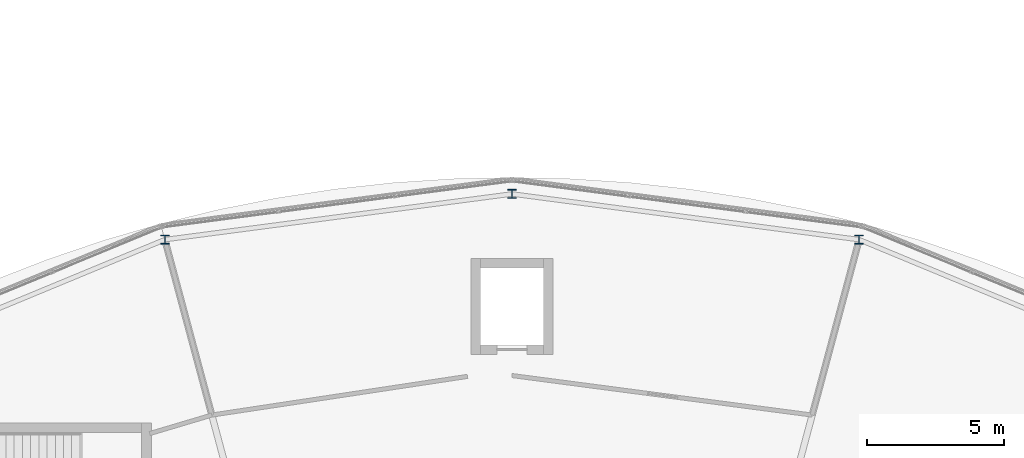
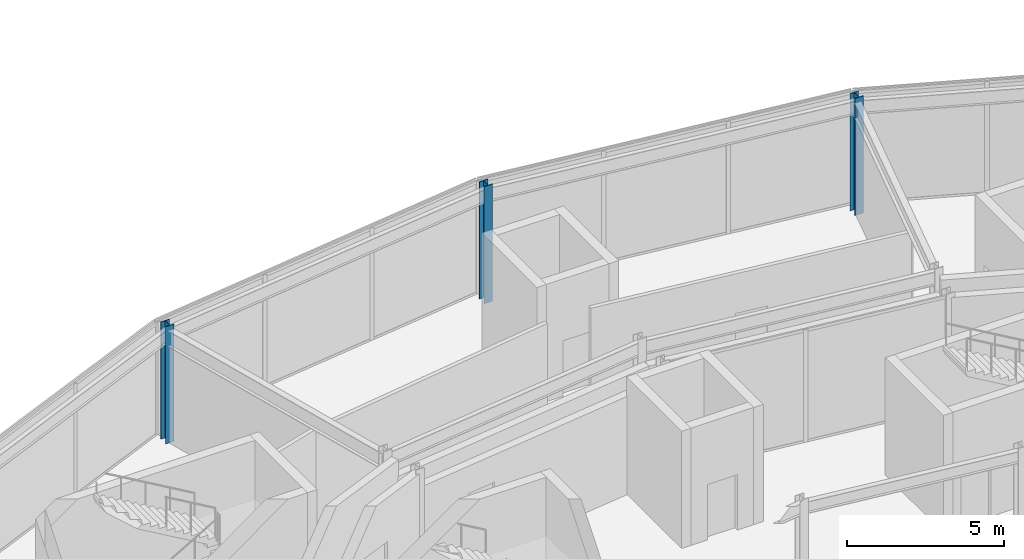
# One storey, part 14 of 133: 3 columns.
"""IFC4 building model written with IfcOpenShell, lengths in metres."""

import ifcopenshell
import ifcopenshell.guid

model = None  # the IFC model being written
_history = None  # IfcOwnerHistory: only IFC2X3 demands one
_inside = {}  # id of a spatial element -> (the spatial element, [elements in it])
_under = {}  # id of a project, library or spatial element -> (it, [spatial elements below it])
_declared = {}  # id of a project -> (the project, [libraries it declares])
_typed = {}  # id of a type object -> (the type object, [elements of that type])
_made_of = {}  # id of a material, layer set ... -> (it, [elements and type objects made of it])


def new_model(schema):
    """Start an empty IFC model of exactly this schema.

    Asked for "IFC4X3", IfcOpenShell would pick the latest addendum, in which some entities
    have other attributes; the version numbers below select the first issue.
    IFC2X3 requires an IfcOwnerHistory on every rooted entity: one is made here for all.
    """
    global model, _history
    if schema == "IFC4X3":
        model = ifcopenshell.file(schema_version=(4, 3, 0, 0))
    else:
        model = ifcopenshell.file(schema=schema)
    _inside.clear()
    _under.clear()
    _declared.clear()
    _typed.clear()
    _made_of.clear()
    _history = None
    if model.schema == "IFC2X3":
        org = make("IfcOrganization", Name="unknown")
        user = make(
            "IfcPersonAndOrganization",
            ThePerson=make("IfcPerson", FamilyName="unknown"),
            TheOrganization=org,
        )
        app = make(
            "IfcApplication",
            ApplicationDeveloper=org,
            Version="unknown",
            ApplicationFullName="unknown",
            ApplicationIdentifier="unknown",
        )
        _history = make(
            "IfcOwnerHistory",
            OwningUser=user,
            OwningApplication=app,
            ChangeAction="ADDED",
            CreationDate=0,
        )
    return model


def make(cls, **values):
    """One entity of the class cls with the attributes given. An attribute that is None is left unset."""
    return model.create_entity(
        cls, **{name: value for name, value in values.items() if value is not None}
    )


def rooted(cls, **values):
    """An entity with a GlobalId (a new one), such as an element, a storey or a relation."""
    return make(cls, GlobalId=ifcopenshell.guid.new(), OwnerHistory=_history, **values)


def si_unit(unit_type, name, prefix=None):
    """IfcSIUnit, for example si_unit("LENGTHUNIT", "METRE", prefix="MILLI")."""
    return make("IfcSIUnit", UnitType=unit_type, Prefix=prefix, Name=name)


def assignment(units):
    """IfcUnitAssignment: the units of a project."""
    return None if units is None else make("IfcUnitAssignment", Units=units)


def point(xyz):
    """IfcCartesianPoint."""
    return None if xyz is None else make("IfcCartesianPoint", Coordinates=xyz)


def direction(xyz):
    """IfcDirection."""
    return None if xyz is None else make("IfcDirection", DirectionRatios=xyz)


def frame(location, z_axis=None, x_axis=None):
    """IfcAxis2Placement3D, a coordinate frame: its origin and axes. An axis left out is left unset."""
    return make(
        "IfcAxis2Placement3D",
        Location=point(location),
        Axis=direction(z_axis),
        RefDirection=direction(x_axis),
    )


def frame_2d(location, x_axis=None):
    """IfcAxis2Placement2D, a coordinate frame in the plane: its origin and x axis."""
    return make(
        "IfcAxis2Placement2D", Location=point(location), RefDirection=direction(x_axis)
    )


def origin():
    """The frame at (0, 0, 0) with its axes left unset."""
    return frame((0.0, 0.0, 0.0))


def origin_2d():
    """The frame at (0, 0) in the plane with its x axis left unset."""
    return frame_2d((0.0, 0.0))


def place(relative_to, where):
    """IfcLocalPlacement: puts the frame where relative to a parent placement (None: the world)."""
    return make(
        "IfcLocalPlacement", PlacementRelTo=relative_to, RelativePlacement=where
    )


def context(
    kind, dimensions, precision=None, world=None, true_north=None, identifier=None
):
    """IfcGeometricRepresentationContext, for example the 3D "Model" context."""
    return make(
        "IfcGeometricRepresentationContext",
        ContextIdentifier=identifier,
        ContextType=kind,
        CoordinateSpaceDimension=dimensions,
        Precision=precision,
        WorldCoordinateSystem=world,
        TrueNorth=true_north,
    )


def subcontext(parent, identifier, kind, view, scale=None):
    """IfcGeometricRepresentationSubContext, for example "Body" below "Model"."""
    return make(
        "IfcGeometricRepresentationSubContext",
        ContextIdentifier=identifier,
        ContextType=kind,
        ParentContext=parent,
        TargetScale=scale,
        TargetView=view,
    )


def project(units=None, contexts=None):
    """IfcProject with its units and contexts."""
    return rooted(
        "IfcProject",
        Name="project",
        RepresentationContexts=contexts,
        UnitsInContext=assignment(units),
    )


def spatial(cls, under=None, at=None, **own):
    """A site, building, storey or space (cls), placed at a placement, below another one or the project."""
    s = rooted(cls, ObjectPlacement=at, **own)
    if under is not None:
        _under.setdefault(under.id(), (under, []))[1].append(s)
    return s


def profile(cls, at=None, kind="AREA", **sizes):
    """A parametric profile (cls). Its sizes go by their IFC names, for example OverallWidth=200.0."""
    return make(cls, ProfileType=kind, Position=at, **sizes)


def i_section(**sizes):
    """IfcIShapeProfileDef."""
    return profile("IfcIShapeProfileDef", **sizes)


def extrude(swept, where, along, depth):
    """IfcExtrudedAreaSolid: the profile swept, set in the frame where, extruded along a direction by depth."""
    return make(
        "IfcExtrudedAreaSolid",
        SweptArea=swept,
        Position=where,
        ExtrudedDirection=direction(along),
        Depth=depth,
    )


def shape(context_of_items, identifier, shape_type, items):
    """IfcShapeRepresentation: the items that make up one representation, for example the "Body"."""
    return make(
        "IfcShapeRepresentation",
        ContextOfItems=context_of_items,
        RepresentationIdentifier=identifier,
        RepresentationType=shape_type,
        Items=items,
    )


def material(Name=None, Category=None):
    """IfcMaterial."""
    return make("IfcMaterial", Name=Name, Category=Category)


def material_profile(
    of_material, cross_section, Name=None, Category=None, Priority=None
):
    """IfcMaterialProfile: a cross section and its material."""
    return make(
        "IfcMaterialProfile",
        Name=Name,
        Material=of_material,
        Profile=cross_section,
        Priority=Priority,
        Category=Category,
    )


def profile_set(profiles, Name=None, composite=None):
    """IfcMaterialProfileSet."""
    return make(
        "IfcMaterialProfileSet",
        Name=Name,
        MaterialProfiles=profiles,
        CompositeProfile=composite,
    )


def made_of(thing, what):
    """Note that an element or type object is made of a material, layer set ...; save() writes the relation."""
    if what is not None:
        _made_of.setdefault(what.id(), (what, []))[1].append(thing)
    return thing


def type_object(cls, material=None, **own):
    """A type object (cls), such as IfcWallType, which elements share."""
    return made_of(rooted(cls, **own), material)


def element(
    cls,
    number,
    at=None,
    inside=None,
    cuts=None,
    type_object=None,
    material=None,
    context=None,
    identifier="Body",
    shape_type=None,
    held_by="IfcProductDefinitionShape",
    body=None,
    shapes=None,
    **own,
):
    """One element of the class cls, such as IfcWall. Its Tag is "e" and its number.

    at: its placement. inside: the storey or other place that contains it. cuts: it is an
    opening in that element (IfcRelVoidsElement). A single representation is given by context,
    identifier, shape_type and body (its items); several are given by shapes. held_by: the class
    of the entity that holds the representations. save() writes the other relations.
    """
    e = rooted(cls, Tag="e%d" % number, ObjectPlacement=at, **own)
    if body is not None:
        shapes = [shape(context, identifier, shape_type, body)]
    if shapes is not None:
        e.Representation = make(held_by, Representations=shapes)
    if inside is not None:
        _inside.setdefault(inside.id(), (inside, []))[1].append(e)
    if cuts is not None:
        rooted(
            "IfcRelVoidsElement", RelatingBuildingElement=cuts, RelatedOpeningElement=e
        )
    if type_object is not None:
        _typed.setdefault(type_object.id(), (type_object, []))[1].append(e)
    return made_of(e, material)


def aggregate(whole, parts):
    """IfcRelAggregates: a whole, such as a stair, and the parts it consists of."""
    return rooted("IfcRelAggregates", RelatingObject=whole, RelatedObjects=parts)


def save(model, path):
    """Write the relations noted so far, then the file.

    IfcRelAggregates (storeys below a building ...), IfcRelContainedInSpatialStructure (elements
    in a storey), IfcRelDefinesByType, IfcRelAssociatesMaterial and IfcRelDeclares: one each for
    every whole, place, type object, material and project.
    """
    for whole, parts in _under.values():
        aggregate(whole, parts)
    for where, things in _inside.values():
        rooted(
            "IfcRelContainedInSpatialStructure",
            RelatedElements=things,
            RelatingStructure=where,
        )
    for kind, things in _typed.values():
        rooted("IfcRelDefinesByType", RelatedObjects=things, RelatingType=kind)
    for what, things in _made_of.values():
        rooted("IfcRelAssociatesMaterial", RelatedObjects=things, RelatingMaterial=what)
    for by, libraries in _declared.values():
        rooted("IfcRelDeclares", RelatingContext=by, RelatedDefinitions=libraries)
    model.write(path)


model = new_model("IFC4")

# Units and contexts
model_context = context("Model", 3, precision=1e-05, world=origin(), true_north=direction((0.0, 1.0)))
body_context = subcontext(model_context, "Body", "Model", "MODEL_VIEW")
ifc_project = project(units=[si_unit("LENGTHUNIT", "METRE"), si_unit("AREAUNIT", "SQUARE_METRE"), si_unit("VOLUMEUNIT", "CUBIC_METRE"), si_unit("PLANEANGLEUNIT", "RADIAN"), si_unit("MASSUNIT", "GRAM", prefix="KILO")], contexts=[model_context])

# Site, building, storey
site_placement = place(None, origin())
site = spatial("IfcSite", under=ifc_project, at=site_placement, CompositionType="ELEMENT")
building_placement = place(site_placement, origin())
building = spatial("IfcBuilding", under=site, at=building_placement, Name="Almandine Court Research Institute", CompositionType="ELEMENT")
storey_placement = place(building_placement, frame((0.0, 0.0, 9.800048828125)))
storey = spatial("IfcBuildingStorey", under=building, at=storey_placement, Name="L02", CompositionType="ELEMENT", Elevation=9.800048828125)

# Columns
ifc_material = material(Name="Steel ASTM A992 Grade 50", Category="steel")
ifc_material_profile = material_profile(ifc_material, i_section(OverallWidth=0.31005859375, OverallDepth=0.326904296875, WebThickness=0.01611328125, FlangeThickness=0.02490234375, at=origin_2d()), Name="W310x158")
ifc_profile_set = profile_set([ifc_material_profile], Name="Steel ASTM A992 Grade 50")
column_type = type_object("IfcColumnType", Name="Col-C-W06-E", PredefinedType="COLUMN", material=ifc_profile_set)
for number, where, z_axis, x_axis, name in (
    (1, (99.656005859375, 103.23388671875, 0.0), (0.0, 0.0, 1.0), (1.0, 0.0, 0.0), "L02 V5 Column V5-OUT-S05"),
    (2, (87.0, 104.89990234375, 0.0), (0.0, 0.0, 1.0), (1.0, 0.0, 0.0), "L02 V5 Column V5-OUT-S06"),
    (3, (74.343994140625, 103.23388671875, 0.0), (0.0, 0.0, 1.0), (1.0, 0.0, 0.0), "L02 V5 Column V5-OUT-S07"),
):
    element("IfcColumn", number, at=place(storey_placement, frame(where, z_axis=z_axis, x_axis=x_axis)), inside=storey, type_object=column_type, Name=name, PredefinedType="COLUMN", context=body_context, shape_type="SweptSolid", body=[
        extrude(i_section(OverallWidth=0.31005859375, OverallDepth=0.326904296875, WebThickness=0.01611328125, FlangeThickness=0.02490234375, at=origin_2d()), origin(), (0.0, 0.0, 1.0), 4.550048828125),
    ])

save(model, "model.ifc")
